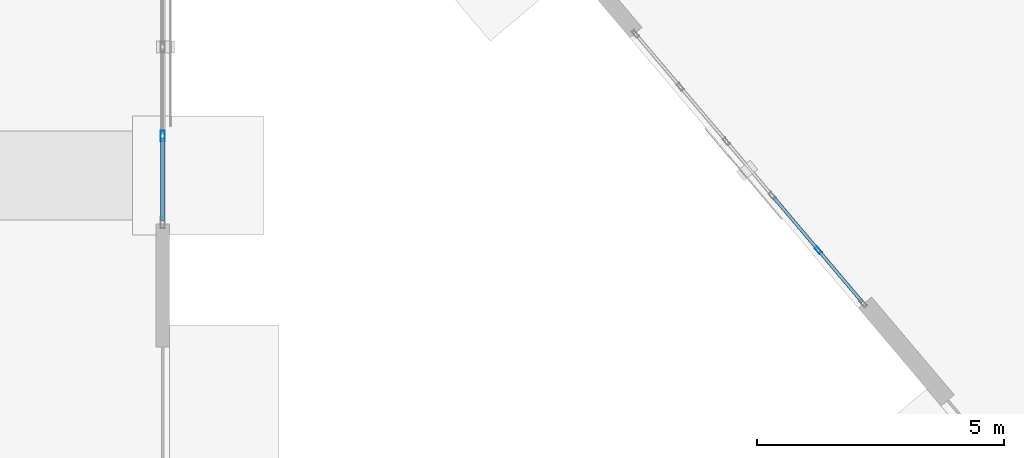
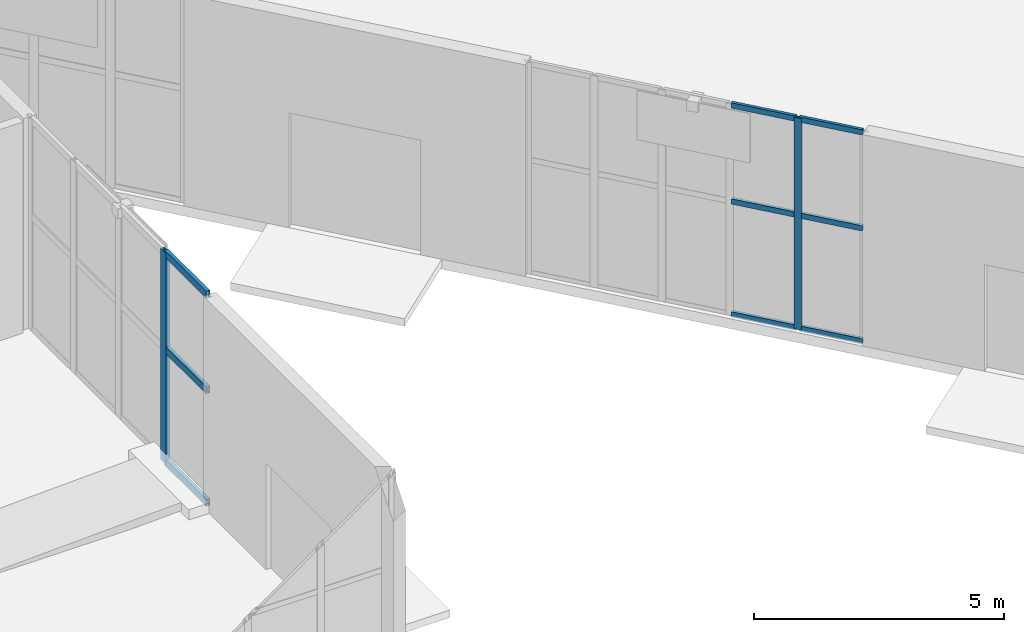
# One storey, part 13 of 139: 11 members, 2 elements without a shape of their own.
"""IFC4 building model written with IfcOpenShell, lengths in metres."""

from ifc_helpers import new_model, si_unit, direction, frame, origin, origin_2d, place, context, subcontext, project, spatial, hollow_rectangle, extrude, material, layer, layer_set, material_profile, profile_set, type_object, element, aggregate, save


model = new_model("IFC4")

# Units and contexts
model_context = context("Model", 3, precision=1e-05, world=origin(), true_north=direction((0.0, 1.0)))
body_context = subcontext(model_context, "Body", "Model", "MODEL_VIEW")
ifc_project = project(units=[si_unit("LENGTHUNIT", "METRE"), si_unit("AREAUNIT", "SQUARE_METRE"), si_unit("VOLUMEUNIT", "CUBIC_METRE"), si_unit("PLANEANGLEUNIT", "RADIAN"), si_unit("MASSUNIT", "GRAM", prefix="KILO")], contexts=[model_context])

# Site, building, storey
site_placement = place(None, origin())
site = spatial("IfcSite", under=ifc_project, at=site_placement, CompositionType="ELEMENT")
building_placement = place(site_placement, origin())
building = spatial("IfcBuilding", under=site, at=building_placement, Name="Xicomal Pleat Aquarium", CompositionType="ELEMENT")
storey_placement = place(building_placement, origin())
storey = spatial("IfcBuildingStorey", under=building, at=storey_placement, Name="L01", CompositionType="ELEMENT", Elevation=0.0)

# Curtain wall, member
ifc_material_1 = material(Name="Bronze anodized aluminium 6063-T6", Category="aluminium")
ifc_layer_1 = layer(ifc_material_1, 0.159912109375)
ifc_layer_set_1 = layer_set([ifc_layer_1], Name="Bronze anodized aluminium 6063-T6")
curtain_wall_type_1 = type_object("IfcCurtainWallType", Name="CW-SYS-01", PredefinedType="NOTDEFINED", material=ifc_layer_set_1)
curtain_wall_1_placement = place(storey_placement, origin())
curtain_wall_1 = element("IfcCurtainWall", 1, at=curtain_wall_1_placement, inside=storey, type_object=curtain_wall_type_1, Name="L01 unitised curtain wall CW-L01-003", PredefinedType="NOTDEFINED")
ifc_material_2 = material(Name="Bronze anodized aluminium 6063-T6", Category="aluminium")
ifc_material_profile_1 = material_profile(ifc_material_2, hollow_rectangle(XDim=0.06494140625, YDim=0.159912109375, WallThickness=0.00390625, at=origin_2d()), Name="ALU MULL 65x160")
ifc_profile_set_1 = profile_set([ifc_material_profile_1], Name="Bronze anodized aluminium 6063-T6")
member_type_1 = type_object("IfcMemberType", Name="CWM-65x160", PredefinedType="MULLION", material=ifc_profile_set_1)
member_1_placement = place(storey_placement, frame((65.326904296875, 7.489990234375, 0.0), z_axis=(0.0, 0.0, 1.0), x_axis=(-0.763649549367, -0.645630982645, 0.0)))
member_1 = element("IfcMember", 2, at=member_1_placement, type_object=member_type_1, Name="CW-01 mullion 2", PredefinedType="MULLION", context=body_context, shape_type="SweptSolid", body=[
    extrude(hollow_rectangle(XDim=0.06494140625, YDim=0.159912109375, WallThickness=0.00390625, at=origin_2d()), origin(), (0.0, 0.0, 1.0), 5.159912109375),
])

ifc_material_3 = material(Name="Bronze anodized aluminium 6063-T6", Category="aluminium")
ifc_layer_2 = layer(ifc_material_3, 0.159912109375)
ifc_layer_set_2 = layer_set([ifc_layer_2], Name="Bronze anodized aluminium 6063-T6")
curtain_wall_type_2 = type_object("IfcCurtainWallType", Name="CW-SYS-11", PredefinedType="NOTDEFINED", material=ifc_layer_set_2)
curtain_wall_2_placement = place(storey_placement, origin())
curtain_wall_2 = element("IfcCurtainWall", 3, at=curtain_wall_2_placement, inside=storey, type_object=curtain_wall_type_2, Name="L01 unitised curtain wall CW-L01-005", PredefinedType="NOTDEFINED")
ifc_material_4 = material(Name="Bronze anodized aluminium 6063-T6", Category="aluminium")
ifc_material_profile_2 = material_profile(ifc_material_4, hollow_rectangle(XDim=0.0849609375, YDim=0.219970703125, WallThickness=0.0048828125, at=origin_2d()), Name="ALU MULL 85x220")
ifc_profile_set_2 = profile_set([ifc_material_profile_2], Name="Bronze anodized aluminium 6063-T6")
member_type_2 = type_object("IfcMemberType", Name="CWM-85x220", PredefinedType="MULLION", material=ifc_profile_set_2)
member_2_placement = place(storey_placement, frame((52.06005859375, 9.800048828125, 0.0), z_axis=(0.0, 0.0, 1.0), x_axis=(1.0, 0.0, 0.0)))
member_2 = element("IfcMember", 4, at=member_2_placement, type_object=member_type_2, Name="CW-11 mullion 4", PredefinedType="MULLION", context=body_context, shape_type="SweptSolid", body=[
    extrude(hollow_rectangle(XDim=0.0849609375, YDim=0.219970703125, WallThickness=0.0048828125, at=origin_2d()), origin(), (0.0, 0.0, 1.0), 5.159912109375),
])

# Member
ifc_material_5 = material(Name="Bronze anodized aluminium 6063-T6", Category="aluminium")
ifc_material_profile_3 = material_profile(ifc_material_5, hollow_rectangle(XDim=0.06494140625, YDim=0.1298828125, WallThickness=0.00390625, at=origin_2d()), Name="ALU TRAN 65x130")
ifc_profile_set_3 = profile_set([ifc_material_profile_3], Name="Bronze anodized aluminium 6063-T6")
member_type_3 = type_object("IfcMemberType", Name="CWT-65x130", PredefinedType="USERDEFINED", material=ifc_profile_set_3)
member_3_placement = place(storey_placement, frame((66.215087890625, 6.439697265625, 0.032470703125), z_axis=(-0.645746630651, 0.763551759216, 0.0), x_axis=(-0.763551759216, -0.645746630651, 0.0)))
member_3 = element("IfcMember", 5, at=member_3_placement, type_object=member_type_3, Name="CW-01 transom 1.1", ObjectType="TRANSOM", PredefinedType="USERDEFINED", context=body_context, shape_type="SweptSolid", body=[
    extrude(hollow_rectangle(XDim=0.06494140625, YDim=0.1298828125, WallThickness=0.00390625, at=origin_2d()), origin(), (0.0, 0.0, 1.0), 1.343017578125),
])

member_4_placement = place(storey_placement, frame((66.215087890625, 6.439697265625, 2.785888671875), z_axis=(-0.645746630651, 0.763551759216, 0.0), x_axis=(-0.763551759216, -0.645746630651, 0.0)))
member_4 = element("IfcMember", 6, at=member_4_placement, type_object=member_type_3, Name="CW-01 transom 1.2", ObjectType="TRANSOM", PredefinedType="USERDEFINED", context=body_context, shape_type="SweptSolid", body=[
    extrude(hollow_rectangle(XDim=0.06494140625, YDim=0.1298828125, WallThickness=0.00390625, at=origin_2d()), origin(), (0.0, 0.0, 1.0), 1.343017578125),
])

member_5_placement = place(storey_placement, frame((66.215087890625, 6.439697265625, 5.12744140625), z_axis=(-0.645746630651, 0.763551759216, 0.0), x_axis=(-0.763551759216, -0.645746630651, 0.0)))
member_5 = element("IfcMember", 7, at=member_5_placement, type_object=member_type_3, Name="CW-01 transom 1.3", ObjectType="TRANSOM", PredefinedType="USERDEFINED", context=body_context, shape_type="SweptSolid", body=[
    extrude(hollow_rectangle(XDim=0.06494140625, YDim=0.1298828125, WallThickness=0.00390625, at=origin_2d()), origin(), (0.0, 0.0, 1.0), 1.343017578125),
])

member_6_placement = place(storey_placement, frame((65.305908203125, 7.514892578125, 0.032470703125), z_axis=(-0.645615925244, 0.763662279461, 0.0), x_axis=(-0.763662279461, -0.645615925244, 0.0)))
member_6 = element("IfcMember", 8, at=member_6_placement, type_object=member_type_3, Name="CW-01 transom 2.1", ObjectType="TRANSOM", PredefinedType="USERDEFINED", context=body_context, shape_type="SweptSolid", body=[
    extrude(hollow_rectangle(XDim=0.06494140625, YDim=0.1298828125, WallThickness=0.00390625, at=origin_2d()), origin(), (0.0, 0.0, 1.0), 1.375244140625),
])

member_7_placement = place(storey_placement, frame((65.305908203125, 7.514892578125, 2.785888671875), z_axis=(-0.645615925244, 0.763662279461, 0.0), x_axis=(-0.763662279461, -0.645615925244, 0.0)))
member_7 = element("IfcMember", 9, at=member_7_placement, type_object=member_type_3, Name="CW-01 transom 2.2", ObjectType="TRANSOM", PredefinedType="USERDEFINED", context=body_context, shape_type="SweptSolid", body=[
    extrude(hollow_rectangle(XDim=0.06494140625, YDim=0.1298828125, WallThickness=0.00390625, at=origin_2d()), origin(), (0.0, 0.0, 1.0), 1.375244140625),
])

member_8_placement = place(storey_placement, frame((65.305908203125, 7.514892578125, 5.12744140625), z_axis=(-0.645615925244, 0.763662279461, 0.0), x_axis=(-0.763662279461, -0.645615925244, 0.0)))
member_8 = element("IfcMember", 10, at=member_8_placement, type_object=member_type_3, Name="CW-01 transom 2.3", ObjectType="TRANSOM", PredefinedType="USERDEFINED", context=body_context, shape_type="SweptSolid", body=[
    extrude(hollow_rectangle(XDim=0.06494140625, YDim=0.1298828125, WallThickness=0.00390625, at=origin_2d()), origin(), (0.0, 0.0, 1.0), 1.375244140625),
])

aggregate(curtain_wall_1, [member_1, member_3, member_4, member_5, member_6, member_7, member_8])

ifc_material_6 = material(Name="Bronze anodized aluminium 6063-T6", Category="aluminium")
ifc_material_profile_4 = material_profile(ifc_material_6, hollow_rectangle(XDim=0.0849609375, YDim=0.169921875, WallThickness=0.0048828125, at=origin_2d()), Name="ALU TRAN 85x170")
ifc_profile_set_4 = profile_set([ifc_material_profile_4], Name="Bronze anodized aluminium 6063-T6")
member_type_4 = type_object("IfcMemberType", Name="CWT-85x170", PredefinedType="USERDEFINED", material=ifc_profile_set_4)
member_9_placement = place(storey_placement, frame((52.06005859375, 9.757568359375, 0.04248046875), z_axis=(0.0, -1.0, 0.0), x_axis=(1.0, 0.0, 0.0)))
member_9 = element("IfcMember", 11, at=member_9_placement, type_object=member_type_4, Name="CW-11 transom 4.1", ObjectType="TRANSOM", PredefinedType="USERDEFINED", context=body_context, shape_type="SweptSolid", body=[
    extrude(hollow_rectangle(XDim=0.0849609375, YDim=0.169921875, WallThickness=0.0048828125, at=origin_2d()), origin(), (0.0, 0.0, 1.0), 1.672607421875),
])

member_10_placement = place(storey_placement, frame((52.06005859375, 9.757568359375, 2.785888671875), z_axis=(0.0, -1.0, 0.0), x_axis=(1.0, 0.0, 0.0)))
member_10 = element("IfcMember", 12, at=member_10_placement, type_object=member_type_4, Name="CW-11 transom 4.2", ObjectType="TRANSOM", PredefinedType="USERDEFINED", context=body_context, shape_type="SweptSolid", body=[
    extrude(hollow_rectangle(XDim=0.0849609375, YDim=0.169921875, WallThickness=0.0048828125, at=origin_2d()), origin(), (0.0, 0.0, 1.0), 1.672607421875),
])

member_11_placement = place(storey_placement, frame((52.06005859375, 9.757568359375, 5.117431640625), z_axis=(0.0, -1.0, 0.0), x_axis=(1.0, 0.0, 0.0)))
member_11 = element("IfcMember", 13, at=member_11_placement, type_object=member_type_4, Name="CW-11 transom 4.3", ObjectType="TRANSOM", PredefinedType="USERDEFINED", context=body_context, shape_type="SweptSolid", body=[
    extrude(hollow_rectangle(XDim=0.0849609375, YDim=0.169921875, WallThickness=0.0048828125, at=origin_2d()), origin(), (0.0, 0.0, 1.0), 1.672607421875),
])

aggregate(curtain_wall_2, [member_2, member_9, member_10, member_11])

save(model, "model.ifc")
